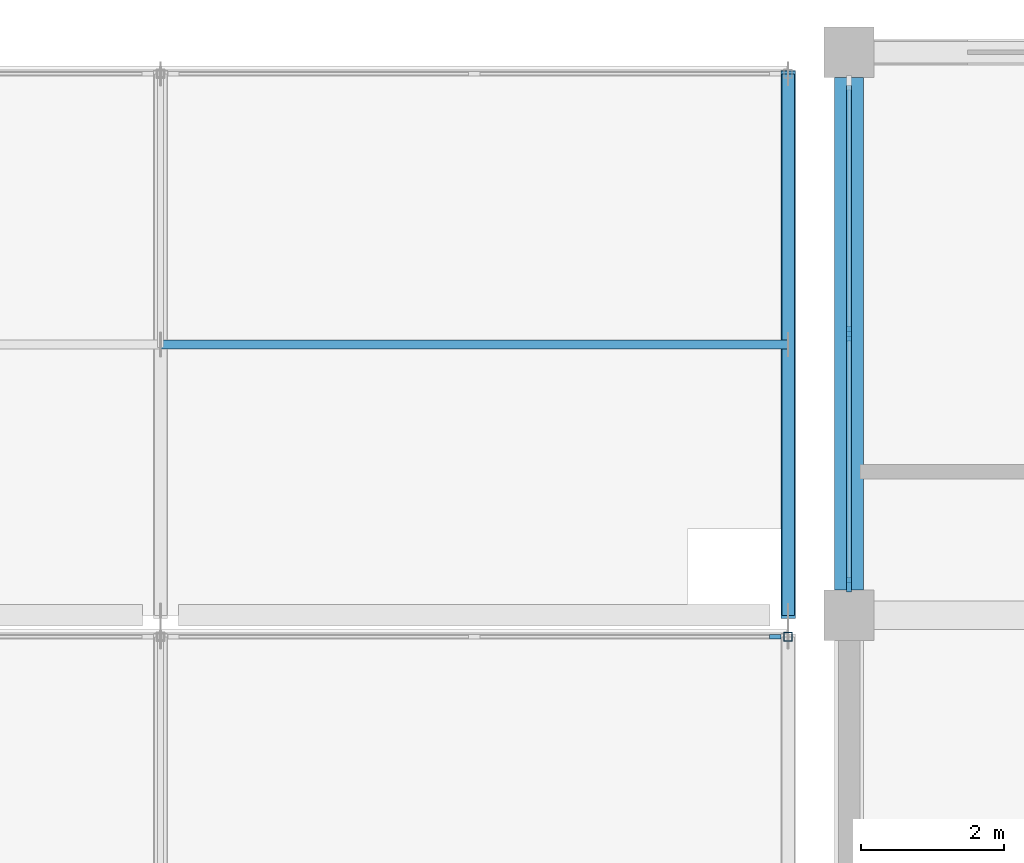
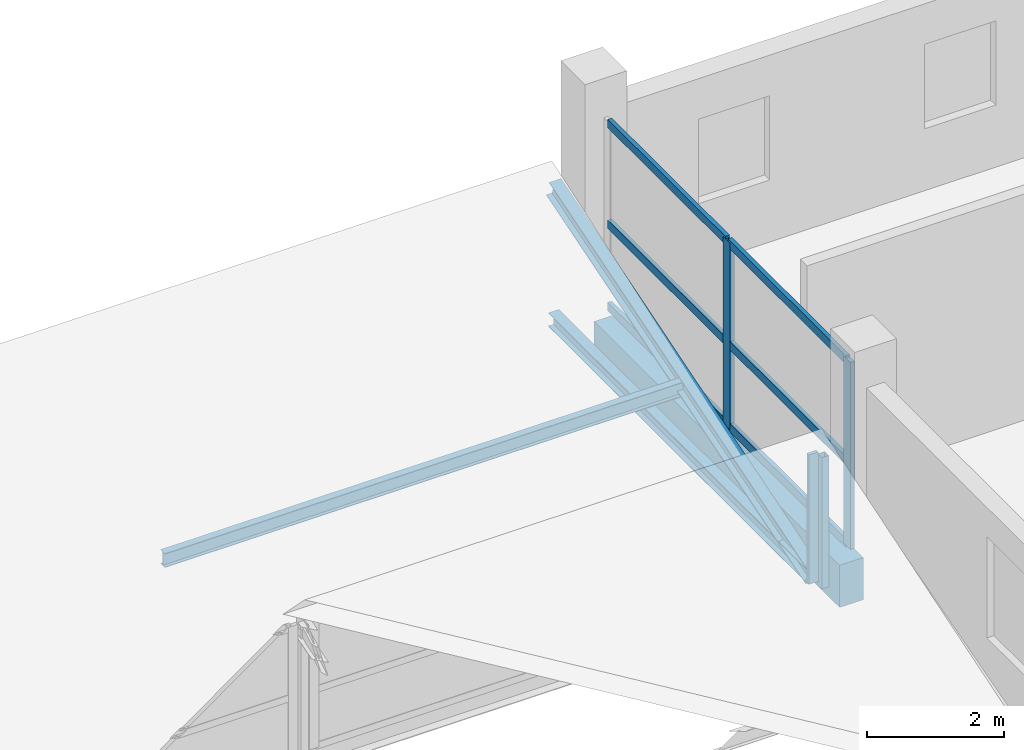
# One storey, part 24 of 40: 13 members, 1 beam, 2 elements without a shape of their own.
"""IFC4 building model written with IfcOpenShell, lengths in metres."""

from ifc_helpers import new_model, si_unit, direction, frame, origin, origin_2d, place, context, subcontext, project, spatial, rectangle, hollow_rectangle, i_section, extrude, material, material_profile, profile_set, type_object, element, aggregate, save


model = new_model("IFC4")

# Units and contexts
model_context = context("Model", 3, precision=1e-05, world=origin(), true_north=direction((0.0, 1.0)))
body_context = subcontext(model_context, "Body", "Model", "MODEL_VIEW")
ifc_project = project(units=[si_unit("LENGTHUNIT", "METRE"), si_unit("AREAUNIT", "SQUARE_METRE"), si_unit("VOLUMEUNIT", "CUBIC_METRE"), si_unit("PLANEANGLEUNIT", "RADIAN"), si_unit("MASSUNIT", "GRAM", prefix="KILO")], contexts=[model_context])

# Site, building, storey
site_placement = place(None, origin())
site = spatial("IfcSite", under=ifc_project, at=site_placement, CompositionType="ELEMENT")
building_placement = place(site_placement, origin())
building = spatial("IfcBuilding", under=site, at=building_placement, Name="Brinegate Botanical Conservatory", CompositionType="ELEMENT")
storey_placement = place(building_placement, frame((0.0, 0.0, 19.199951171875)))
storey = spatial("IfcBuildingStorey", under=building, at=storey_placement, Name="L05", CompositionType="ELEMENT", Elevation=19.199951171875)

# Beam
ifc_material_1 = material(Name="Concrete C50/60", Category="concrete")
ifc_material_profile_1 = material_profile(ifc_material_1, rectangle(XDim=0.39990234375, YDim=0.75, at=origin_2d()), Name="RC BM 400x750")
ifc_profile_set_1 = profile_set([ifc_material_profile_1], Name="Concrete C50/60")
beam_type = type_object("IfcBeamType", Name="Beam_BM-T1", PredefinedType="BEAM", material=ifc_profile_set_1)
beam_placement = place(storey_placement, frame((122.0, 103.949951171875, -0.614990234375), z_axis=(0.0, 1.0, 0.0), x_axis=(-1.0, 0.0, 0.0)))
element("IfcBeam", 1, at=beam_placement, inside=storey, type_object=beam_type, Name="Beam BM-T1 L05 16:N-P", PredefinedType="BEAM", context=body_context, shape_type="SweptSolid", body=[
    extrude(rectangle(XDim=0.39990234375, YDim=0.75, at=origin_2d()), origin(), (0.0, 0.0, 1.0), 7.150146484375),
])

# Curtain wall, member
ifc_material_2 = material(Name="Thermally broken anodised aluminium AW-6063-T6", Category="aluminium")
curtain_wall_type_1 = type_object("IfcCurtainWallType", Name="CW_CW-SAW", PredefinedType="USERDEFINED", material=ifc_material_2)
curtain_wall_1_placement = place(storey_placement, origin())
curtain_wall_1 = element("IfcCurtainWall", 2, at=curtain_wall_1_placement, inside=storey, type_object=curtain_wall_type_1, Name="Sawtooth north-light clerestory B2.8", ObjectType="FACTORY CURTAIN WALL", PredefinedType="USERDEFINED")
ifc_material_profile_2 = material_profile(ifc_material_2, rectangle(XDim=0.06005859375, YDim=0.159912109375, at=origin_2d()), Name="ALUM MULLION 60x160")
ifc_profile_set_2 = profile_set([ifc_material_profile_2], Name="Thermally broken anodised aluminium AW-6063-T6")
member_type_1 = type_object("IfcMemberType", Name="Member_ML-01", PredefinedType="MULLION", material=ifc_profile_set_2)
member_1_placement = place(storey_placement, frame((120.969970703125, 103.300048828125, 0.150146484375), z_axis=(0.0, 0.0, 1.0), x_axis=(0.0, 1.0, 0.0)))
member_1 = element("IfcMember", 3, at=member_1_placement, type_object=member_type_1, Name="CW-SAW mullion 3", PredefinedType="MULLION", context=body_context, shape_type="SweptSolid", body=[
    extrude(rectangle(XDim=0.06005859375, YDim=0.159912109375, at=origin_2d()), origin(), (0.0, 0.0, 1.0), 2.2998046875),
])
aggregate(curtain_wall_1, [member_1])

# Curtain wall, members
curtain_wall_type_2 = type_object("IfcCurtainWallType", Name="CW_CW-TW1", PredefinedType="USERDEFINED", material=ifc_material_2)
curtain_wall_2_placement = place(storey_placement, origin())
curtain_wall_2 = element("IfcCurtainWall", 4, at=curtain_wall_2_placement, inside=storey, type_object=curtain_wall_type_2, Name="Tower north-west curtain wall L05", ObjectType="FACTORY CURTAIN WALL", PredefinedType="USERDEFINED")
ifc_material_profile_3 = material_profile(ifc_material_2, rectangle(XDim=0.070068359375, YDim=0.199951171875, at=origin_2d()), Name="ALUM MULLION 70x200")
ifc_profile_set_3 = profile_set([ifc_material_profile_3], Name="Thermally broken anodised aluminium AW-6063-T6")
member_type_2 = type_object("IfcMemberType", Name="Member_ML-03", PredefinedType="MULLION", material=ifc_profile_set_3)
member_2_placement = place(storey_placement, frame((122.0, 104.02490234375, 0.0), z_axis=(0.0, 0.0, 1.0), x_axis=(-1.0, 0.0, 0.0)))
member_2 = element("IfcMember", 5, at=member_2_placement, type_object=member_type_2, Name="CW-TW1 mullion 1", PredefinedType="MULLION", context=body_context, shape_type="SweptSolid", body=[
    extrude(rectangle(XDim=0.070068359375, YDim=0.199951171875, at=origin_2d()), origin(), (0.0, 0.0, 1.0), 3.320068359375),
])
member_3_placement = place(storey_placement, frame((122.0, 107.52490234375, 0.0), z_axis=(0.0, 0.0, 1.0), x_axis=(-1.0, 0.0, 0.0)))
member_3 = element("IfcMember", 6, at=member_3_placement, type_object=member_type_2, Name="CW-TW1 mullion 2", PredefinedType="MULLION", context=body_context, shape_type="SweptSolid", body=[
    extrude(rectangle(XDim=0.070068359375, YDim=0.199951171875, at=origin_2d()), origin(), (0.0, 0.0, 1.0), 3.320068359375),
])

# Members
ifc_material_3 = material(Name="Structural steel Q355B / S355", Category="steel")
ifc_material_profile_4 = material_profile(ifc_material_3, i_section(OverallWidth=0.199951171875, OverallDepth=0.2939453125, WebThickness=0.008056640625, FlangeThickness=0.011962890625, at=origin_2d()), Name="HM 294x200x8x12")
ifc_profile_set_4 = profile_set([ifc_material_profile_4], Name="Structural steel Q355B / S355")
member_type_3 = type_object("IfcMemberType", Name="Member_SC-01", PredefinedType="CHORD", material=ifc_profile_set_4)
member_4_placement = place(storey_placement, frame((121.14990234375, 103.60009765625, 0.02001953125), z_axis=(0.0, 0.955527457741, 0.294902149032), x_axis=(-1.0, 0.0, 0.0)))
element("IfcMember", 7, at=member_4_placement, inside=storey, type_object=member_type_3, Name="Sawtooth rafter chord SC-01 B3.T9", PredefinedType="CHORD", context=body_context, shape_type="SweptSolid", body=[
    extrude(i_section(OverallWidth=0.199951171875, OverallDepth=0.2939453125, WebThickness=0.008056640625, FlangeThickness=0.011962890625, at=origin_2d()), origin(), (0.0, 0.0, 1.0), 7.901123046875),
])
ifc_material_profile_5 = material_profile(ifc_material_3, i_section(OverallWidth=0.175048828125, OverallDepth=0.243896484375, WebThickness=0.007080078125, FlangeThickness=0.010986328125, at=origin_2d()), Name="HM 244x175x7x11")
ifc_profile_set_5 = profile_set([ifc_material_profile_5], Name="Structural steel Q355B / S355")
member_type_4 = type_object("IfcMemberType", Name="Member_SC-02", PredefinedType="CHORD", material=ifc_profile_set_5)
member_5_placement = place(storey_placement, frame((121.14990234375, 103.60009765625, 0.02001953125), z_axis=(0.0, 1.0, 0.0), x_axis=(-1.0, 0.0, 0.0)))
element("IfcMember", 8, at=member_5_placement, inside=storey, type_object=member_type_4, Name="Sawtooth bottom tie SC-02 B3.T9", PredefinedType="CHORD", context=body_context, shape_type="SweptSolid", body=[
    extrude(i_section(OverallWidth=0.175048828125, OverallDepth=0.243896484375, WebThickness=0.007080078125, FlangeThickness=0.010986328125, at=origin_2d()), origin(), (0.0, 0.0, 1.0), 7.5498046875),
])
ifc_material_profile_6 = material_profile(ifc_material_3, i_section(OverallWidth=0.125, OverallDepth=0.25, WebThickness=0.006103515625, FlangeThickness=0.009033203125, at=origin_2d()), Name="HN 250x125x6x9")
ifc_profile_set_6 = profile_set([ifc_material_profile_6], Name="Structural steel Q355B / S355")
member_type_5 = type_object("IfcMemberType", Name="Member_SPU-01", PredefinedType="PURLIN", material=ifc_profile_set_6)
member_6_placement = place(storey_placement, frame((112.39990234375, 107.375, 1.094970703125), z_axis=(1.0, 0.0, 0.0), x_axis=(0.0, 1.0, 0.0)))
element("IfcMember", 9, at=member_6_placement, inside=storey, type_object=member_type_5, Name="Sawtooth roof purlin SPU-01 B3.8", PredefinedType="PURLIN", context=body_context, shape_type="SweptSolid", body=[
    extrude(i_section(OverallWidth=0.125, OverallDepth=0.25, WebThickness=0.006103515625, FlangeThickness=0.009033203125, at=origin_2d()), origin(), (0.0, 0.0, 1.0), 8.75),
])
ifc_material_profile_7 = material_profile(ifc_material_3, hollow_rectangle(XDim=0.1201171875, YDim=0.1201171875, WallThickness=0.006103515625, at=origin_2d()), Name="SHS 120x120x6")
ifc_profile_set_7 = profile_set([ifc_material_profile_7], Name="Structural steel Q355B / S355")
member_type_6 = type_object("IfcMemberType", Name="Member_SS-01", PredefinedType="STRUT", material=ifc_profile_set_7)
member_7_placement = place(storey_placement, frame((121.14990234375, 103.300048828125, 0.02001953125), z_axis=(0.0, 0.0, 1.0), x_axis=(1.0, 0.0, 0.0)))
element("IfcMember", 10, at=member_7_placement, inside=storey, type_object=member_type_6, Name="Sawtooth north clerestory post SS-01 B2.T9", PredefinedType="STRUT", context=body_context, shape_type="SweptSolid", body=[
    extrude(hollow_rectangle(XDim=0.1201171875, YDim=0.1201171875, WallThickness=0.006103515625, at=origin_2d()), origin(), (0.0, 0.0, 1.0), 2.330078125),
])

# Member
ifc_material_profile_8 = material_profile(ifc_material_2, rectangle(XDim=0.070068359375, YDim=0.14990234375, at=origin_2d()), Name="ALUM TRANSOM 70x150")
ifc_profile_set_8 = profile_set([ifc_material_profile_8], Name="Thermally broken anodised aluminium AW-6063-T6")
member_type_7 = type_object("IfcMemberType", Name="Member_TR-03", PredefinedType="USERDEFINED", material=ifc_profile_set_8)
member_8_placement = place(storey_placement, frame((122.0, 104.06005859375, 0.03515625), z_axis=(0.0, 1.0, 0.0), x_axis=(-1.0, 0.0, 0.0)))
member_8 = element("IfcMember", 11, at=member_8_placement, type_object=member_type_7, Name="CW-TW1 transom 1.1", ObjectType="TRANSOM", PredefinedType="USERDEFINED", context=body_context, shape_type="SweptSolid", body=[
    extrude(rectangle(XDim=0.070068359375, YDim=0.14990234375, at=origin_2d()), origin(), (0.0, 0.0, 1.0), 3.429931640625),
])

member_9_placement = place(storey_placement, frame((122.0, 104.06005859375, 1.494140625), z_axis=(0.0, 1.0, 0.0), x_axis=(-1.0, 0.0, 0.0)))
member_9 = element("IfcMember", 12, at=member_9_placement, type_object=member_type_7, Name="CW-TW1 transom 1.2", ObjectType="TRANSOM", PredefinedType="USERDEFINED", context=body_context, shape_type="SweptSolid", body=[
    extrude(rectangle(XDim=0.070068359375, YDim=0.14990234375, at=origin_2d()), origin(), (0.0, 0.0, 1.0), 3.429931640625),
])

member_10_placement = place(storey_placement, frame((122.0, 104.06005859375, 3.28515625), z_axis=(0.0, 1.0, 0.0), x_axis=(-1.0, 0.0, 0.0)))
member_10 = element("IfcMember", 13, at=member_10_placement, type_object=member_type_7, Name="CW-TW1 transom 1.3", ObjectType="TRANSOM", PredefinedType="USERDEFINED", context=body_context, shape_type="SweptSolid", body=[
    extrude(rectangle(XDim=0.070068359375, YDim=0.14990234375, at=origin_2d()), origin(), (0.0, 0.0, 1.0), 3.429931640625),
])

member_11_placement = place(storey_placement, frame((122.0, 107.56005859375, 0.03515625), z_axis=(0.0, 1.0, 0.0), x_axis=(-1.0, 0.0, 0.0)))
member_11 = element("IfcMember", 14, at=member_11_placement, type_object=member_type_7, Name="CW-TW1 transom 2.1", ObjectType="TRANSOM", PredefinedType="USERDEFINED", context=body_context, shape_type="SweptSolid", body=[
    extrude(rectangle(XDim=0.070068359375, YDim=0.14990234375, at=origin_2d()), origin(), (0.0, 0.0, 1.0), 3.429931640625),
])

member_12_placement = place(storey_placement, frame((122.0, 107.56005859375, 1.494140625), z_axis=(0.0, 1.0, 0.0), x_axis=(-1.0, 0.0, 0.0)))
member_12 = element("IfcMember", 15, at=member_12_placement, type_object=member_type_7, Name="CW-TW1 transom 2.2", ObjectType="TRANSOM", PredefinedType="USERDEFINED", context=body_context, shape_type="SweptSolid", body=[
    extrude(rectangle(XDim=0.070068359375, YDim=0.14990234375, at=origin_2d()), origin(), (0.0, 0.0, 1.0), 3.429931640625),
])

member_13_placement = place(storey_placement, frame((122.0, 107.56005859375, 3.28515625), z_axis=(0.0, 1.0, 0.0), x_axis=(-1.0, 0.0, 0.0)))
member_13 = element("IfcMember", 16, at=member_13_placement, type_object=member_type_7, Name="CW-TW1 transom 2.3", ObjectType="TRANSOM", PredefinedType="USERDEFINED", context=body_context, shape_type="SweptSolid", body=[
    extrude(rectangle(XDim=0.070068359375, YDim=0.14990234375, at=origin_2d()), origin(), (0.0, 0.0, 1.0), 3.429931640625),
])

aggregate(curtain_wall_2, [member_2, member_3, member_8, member_9, member_10, member_11, member_12, member_13])

save(model, "model.ifc")
